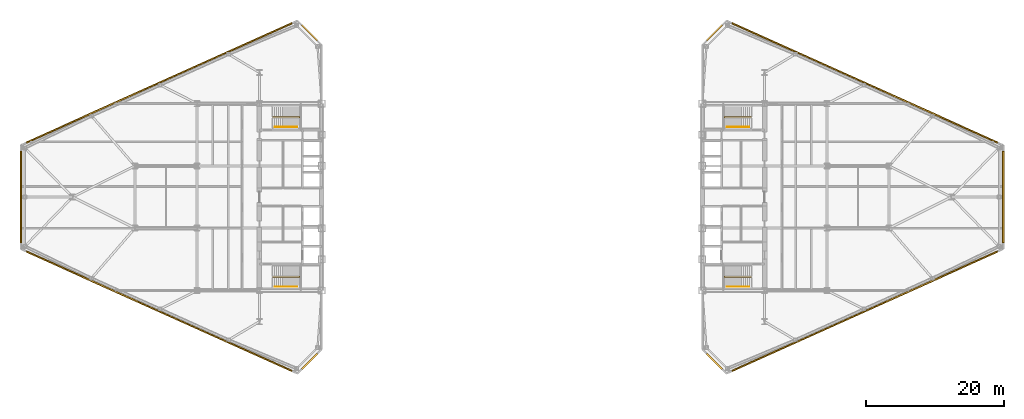
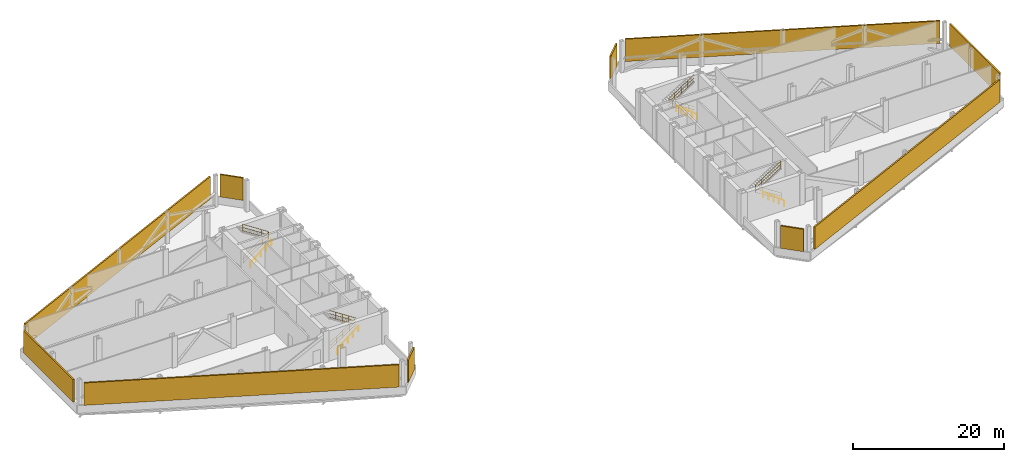
# One storey, part 11 of 11: 10 shading devices, 8 railings.
"""IFC4 building model written with IfcOpenShell, lengths in metres."""

from ifc_helpers import new_model, si_unit, direction, frame, origin, origin_2d, place, context, subcontext, project, spatial, rectangle, circle, extrude, source, transform, mapped, material, layer, layer_set, type_object, type_shapes, element, save


model = new_model("IFC4")

# Units and contexts
model_context = context("Model", 3, precision=1e-05, world=origin(), true_north=direction((0.0, 1.0)))
body_context = subcontext(model_context, "Body", "Model", "MODEL_VIEW")
ifc_project = project(units=[si_unit("LENGTHUNIT", "METRE"), si_unit("AREAUNIT", "SQUARE_METRE"), si_unit("VOLUMEUNIT", "CUBIC_METRE"), si_unit("PLANEANGLEUNIT", "RADIAN"), si_unit("MASSUNIT", "GRAM", prefix="KILO")], contexts=[model_context])

# Site, building, storey
site_placement = place(None, origin())
site = spatial("IfcSite", under=ifc_project, at=site_placement, CompositionType="ELEMENT")
building_placement = place(site_placement, origin())
building = spatial("IfcBuilding", under=site, at=building_placement, Name="Seokmaru Belvedere", CompositionType="ELEMENT")
storey_placement = place(building_placement, frame((0.0, 0.0, 87.300048828125)))
storey = spatial("IfcBuildingStorey", under=building, at=storey_placement, Name="L23", CompositionType="ELEMENT", Elevation=87.300048828125)

# Railings
ifc_material_1 = material(Name="Stainless Steel 316", Category="steel")
railing_type_1 = type_object("IfcRailingType", Name="Stainless Steel Wall and Flight Handrail 900", PredefinedType="HANDRAIL", material=ifc_material_1)
for number, where, name in (
    (1, (-34.25, -12.949951171875, 0.0), "L23 Stair ST-W1 Wall Handrail"),
    (2, (-34.25, 10.110107421875, 0.0), "L23 Stair ST-W2 Wall Handrail"),
):
    element("IfcRailing", number, at=place(storey_placement, frame(where)), inside=storey, type_object=railing_type_1, Name=name, PredefinedType="HANDRAIL", context=body_context, shape_type="SweptSolid", body=[
        extrude(circle(Radius=0.02392578125, at=origin_2d()), frame((0.0, 0.0, 0.8759765625), z_axis=(0.78393854377, 0.0, 0.62083843276), x_axis=(0.0, 1.0, 0.0)), (0.0, 0.0, 1.0), 4.107421875),
        extrude(circle(Radius=0.02099609375, at=origin_2d()), origin(), (0.0, 0.0, 1.0), 0.851806640625),
        extrude(circle(Radius=0.02099609375, at=origin_2d()), frame((0.804931640625, 0.0, 0.637451171875)), (0.0, 0.0, 1.0), 0.851806640625),
        extrude(circle(Radius=0.02099609375, at=origin_2d()), frame((1.60986328125, 0.0, 1.27490234375)), (0.0, 0.0, 1.0), 0.851806640625),
        extrude(circle(Radius=0.02099609375, at=origin_2d()), frame((2.4150390625, 0.0, 1.91259765625)), (0.0, 0.0, 1.0), 0.851806640625),
        extrude(circle(Radius=0.02099609375, at=origin_2d()), frame((3.219970703125, 0.0, 2.550048828125)), (0.0, 0.0, 1.0), 0.851806640625),
    ])
for number, where, name in (
    (3, (34.25, -12.949951171875, 0.0), "L23 Stair ST-E1 Wall Handrail"),
    (4, (34.25, 10.110107421875, 0.0), "L23 Stair ST-E2 Wall Handrail"),
):
    element("IfcRailing", number, at=place(storey_placement, frame(where)), inside=storey, type_object=railing_type_1, Name=name, PredefinedType="HANDRAIL", context=body_context, shape_type="SweptSolid", body=[
        extrude(circle(Radius=0.02392578125, at=origin_2d()), frame((0.0, 0.0, 0.8759765625), z_axis=(-0.78393854377, 0.0, 0.62083843276), x_axis=(0.0, -1.0, 0.0)), (0.0, 0.0, 1.0), 4.107421875),
        extrude(circle(Radius=0.02099609375, at=origin_2d()), origin(), (0.0, 0.0, 1.0), 0.851806640625),
        extrude(circle(Radius=0.02099609375, at=origin_2d()), frame((-0.804931640625, 0.0, 0.637451171875)), (0.0, 0.0, 1.0), 0.851806640625),
        extrude(circle(Radius=0.02099609375, at=origin_2d()), frame((-1.60986328125, 0.0, 1.27490234375)), (0.0, 0.0, 1.0), 0.851806640625),
        extrude(circle(Radius=0.02099609375, at=origin_2d()), frame((-2.4150390625, 0.0, 1.91259765625)), (0.0, 0.0, 1.0), 0.851806640625),
        extrude(circle(Radius=0.02099609375, at=origin_2d()), frame((-3.219970703125, 0.0, 2.550048828125)), (0.0, 0.0, 1.0), 0.851806640625),
    ])
railing_type_2 = type_object("IfcRailingType", Name="Stair Well and Atrium Steel Guardrail 1200", PredefinedType="GUARDRAIL", material=ifc_material_1)
railing_1_placement = place(storey_placement, frame((-34.60009765625, -11.60009765625, 0.0)))
element("IfcRailing", 5, at=railing_1_placement, inside=storey, type_object=railing_type_2, Name="L23 Stair ST-W1 Inner Well Guardrail", PredefinedType="GUARDRAIL", context=body_context, shape_type="SweptSolid", body=[
    extrude(circle(Radius=0.02392578125, at=origin_2d()), frame((0.0, 0.0, 1.17578125), z_axis=(0.838253921411, 0.0, 0.545280077794), x_axis=(0.0, 1.0, 0.0)), (0.0, 0.0, 1.0), 4.676513671875),
    extrude(circle(Radius=0.02392578125, at=origin_2d()), frame((0.0, 0.0, 0.1201171875), z_axis=(0.838253921411, 0.0, 0.545280077794), x_axis=(0.0, 1.0, 0.0)), (0.0, 0.0, 1.0), 4.676513671875),
    extrude(circle(Radius=0.02392578125, at=origin_2d()), frame((0.0, 0.0, 0.659912109375), z_axis=(0.838253921411, 0.0, 0.545280077794), x_axis=(0.0, 1.0, 0.0)), (0.0, 0.0, 1.0), 4.676513671875),
    extrude(circle(Radius=0.02392578125, at=origin_2d()), frame((3.920166015625, 0.0, 3.72607421875), z_axis=(0.0, 1.0, 0.0), x_axis=(-1.0, 0.0, 0.0)), (0.0, 0.0, 1.0), 0.14013671875),
    extrude(circle(Radius=0.02392578125, at=origin_2d()), frame((3.920166015625, 0.0, 2.670166015625), z_axis=(0.0, 1.0, 0.0), x_axis=(-1.0, 0.0, 0.0)), (0.0, 0.0, 1.0), 0.14013671875),
    extrude(circle(Radius=0.02392578125, at=origin_2d()), frame((3.920166015625, 0.0, 3.2099609375), z_axis=(0.0, 1.0, 0.0), x_axis=(-1.0, 0.0, 0.0)), (0.0, 0.0, 1.0), 0.14013671875),
    extrude(circle(Radius=0.02392578125, at=origin_2d()), frame((3.920166015625, 0.14013671875, 3.72607421875), z_axis=(-0.838277783264, 0.0, 0.545243393436), x_axis=(0.0, -1.0, 0.0)), (0.0, 0.0, 1.0), 4.676513671875),
    extrude(circle(Radius=0.02392578125, at=origin_2d()), frame((3.920166015625, 0.14013671875, 2.670166015625), z_axis=(-0.838277783264, 0.0, 0.545243393436), x_axis=(0.0, -1.0, 0.0)), (0.0, 0.0, 1.0), 4.676513671875),
    extrude(circle(Radius=0.02392578125, at=origin_2d()), frame((3.920166015625, 0.14013671875, 3.2099609375), z_axis=(-0.838277783264, 0.0, 0.545243393436), x_axis=(0.0, -1.0, 0.0)), (0.0, 0.0, 1.0), 4.676513671875),
    extrude(circle(Radius=0.02099609375, at=origin_2d()), origin(), (0.0, 0.0, 1.0), 1.15185546875),
    extrude(circle(Radius=0.02099609375, at=origin_2d()), frame((0.97998046875, 0.0, 0.637451171875)), (0.0, 0.0, 1.0), 1.15185546875),
    extrude(circle(Radius=0.02099609375, at=origin_2d()), frame((1.9599609375, 0.0, 1.27490234375)), (0.0, 0.0, 1.0), 1.15185546875),
    extrude(circle(Radius=0.02099609375, at=origin_2d()), frame((2.940185546875, 0.0, 1.91259765625)), (0.0, 0.0, 1.0), 1.15185546875),
    extrude(circle(Radius=0.02099609375, at=origin_2d()), frame((3.920166015625, 0.0, 2.550048828125)), (0.0, 0.0, 1.0), 1.15185546875),
    extrude(circle(Radius=0.02099609375, at=origin_2d()), frame((3.920166015625, 0.14013671875, 2.550048828125)), (0.0, 0.0, 1.0), 1.15185546875),
    extrude(circle(Radius=0.02099609375, at=origin_2d()), frame((2.940185546875, 0.14013671875, 3.1875)), (0.0, 0.0, 1.0), 1.15185546875),
    extrude(circle(Radius=0.02099609375, at=origin_2d()), frame((1.9599609375, 0.14013671875, 3.824951171875)), (0.0, 0.0, 1.0), 1.15185546875),
    extrude(circle(Radius=0.02099609375, at=origin_2d()), frame((0.97998046875, 0.14013671875, 4.46240234375)), (0.0, 0.0, 1.0), 1.15185546875),
    extrude(circle(Radius=0.02099609375, at=origin_2d()), frame((0.0, 0.14013671875, 5.099853515625)), (0.0, 0.0, 1.0), 1.15185546875),
])
railing_2_placement = place(storey_placement, frame((-34.60009765625, 11.4599609375, 0.0)))
element("IfcRailing", 6, at=railing_2_placement, inside=storey, type_object=railing_type_2, Name="L23 Stair ST-W2 Inner Well Guardrail", PredefinedType="GUARDRAIL", context=body_context, shape_type="SweptSolid", body=[
    extrude(circle(Radius=0.02392578125, at=origin_2d()), frame((0.0, 0.0, 1.17578125), z_axis=(0.838253921411, 0.0, 0.545280077794), x_axis=(0.0, 1.0, 0.0)), (0.0, 0.0, 1.0), 4.676513671875),
    extrude(circle(Radius=0.02392578125, at=origin_2d()), frame((0.0, 0.0, 0.1201171875), z_axis=(0.838253921411, 0.0, 0.545280077794), x_axis=(0.0, 1.0, 0.0)), (0.0, 0.0, 1.0), 4.676513671875),
    extrude(circle(Radius=0.02392578125, at=origin_2d()), frame((0.0, 0.0, 0.659912109375), z_axis=(0.838253921411, 0.0, 0.545280077794), x_axis=(0.0, 1.0, 0.0)), (0.0, 0.0, 1.0), 4.676513671875),
    extrude(circle(Radius=0.02392578125, at=origin_2d()), frame((3.920166015625, 0.0, 3.72607421875), z_axis=(0.0, 1.0, 0.0), x_axis=(-1.0, 0.0, 0.0)), (0.0, 0.0, 1.0), 0.14013671875),
    extrude(circle(Radius=0.02392578125, at=origin_2d()), frame((3.920166015625, 0.0, 2.670166015625), z_axis=(0.0, 1.0, 0.0), x_axis=(-1.0, 0.0, 0.0)), (0.0, 0.0, 1.0), 0.14013671875),
    extrude(circle(Radius=0.02392578125, at=origin_2d()), frame((3.920166015625, 0.0, 3.2099609375), z_axis=(0.0, 1.0, 0.0), x_axis=(-1.0, 0.0, 0.0)), (0.0, 0.0, 1.0), 0.14013671875),
    extrude(circle(Radius=0.02392578125, at=origin_2d()), frame((3.920166015625, 0.14013671875, 3.72607421875), z_axis=(-0.838277783264, 0.0, 0.545243393436), x_axis=(0.0, -1.0, 0.0)), (0.0, 0.0, 1.0), 4.676513671875),
    extrude(circle(Radius=0.02392578125, at=origin_2d()), frame((3.920166015625, 0.14013671875, 2.670166015625), z_axis=(-0.838277783264, 0.0, 0.545243393436), x_axis=(0.0, -1.0, 0.0)), (0.0, 0.0, 1.0), 4.676513671875),
    extrude(circle(Radius=0.02392578125, at=origin_2d()), frame((3.920166015625, 0.14013671875, 3.2099609375), z_axis=(-0.838277783264, 0.0, 0.545243393436), x_axis=(0.0, -1.0, 0.0)), (0.0, 0.0, 1.0), 4.676513671875),
    extrude(circle(Radius=0.02099609375, at=origin_2d()), origin(), (0.0, 0.0, 1.0), 1.15185546875),
    extrude(circle(Radius=0.02099609375, at=origin_2d()), frame((0.97998046875, 0.0, 0.637451171875)), (0.0, 0.0, 1.0), 1.15185546875),
    extrude(circle(Radius=0.02099609375, at=origin_2d()), frame((1.9599609375, 0.0, 1.27490234375)), (0.0, 0.0, 1.0), 1.15185546875),
    extrude(circle(Radius=0.02099609375, at=origin_2d()), frame((2.940185546875, 0.0, 1.91259765625)), (0.0, 0.0, 1.0), 1.15185546875),
    extrude(circle(Radius=0.02099609375, at=origin_2d()), frame((3.920166015625, 0.0, 2.550048828125)), (0.0, 0.0, 1.0), 1.15185546875),
    extrude(circle(Radius=0.02099609375, at=origin_2d()), frame((3.920166015625, 0.14013671875, 2.550048828125)), (0.0, 0.0, 1.0), 1.15185546875),
    extrude(circle(Radius=0.02099609375, at=origin_2d()), frame((2.940185546875, 0.14013671875, 3.1875)), (0.0, 0.0, 1.0), 1.15185546875),
    extrude(circle(Radius=0.02099609375, at=origin_2d()), frame((1.9599609375, 0.14013671875, 3.824951171875)), (0.0, 0.0, 1.0), 1.15185546875),
    extrude(circle(Radius=0.02099609375, at=origin_2d()), frame((0.97998046875, 0.14013671875, 4.46240234375)), (0.0, 0.0, 1.0), 1.15185546875),
    extrude(circle(Radius=0.02099609375, at=origin_2d()), frame((0.0, 0.14013671875, 5.099853515625)), (0.0, 0.0, 1.0), 1.15185546875),
])
railing_3_placement = place(storey_placement, frame((34.60009765625, -11.60009765625, 0.0)))
element("IfcRailing", 7, at=railing_3_placement, inside=storey, type_object=railing_type_2, Name="L23 Stair ST-E1 Inner Well Guardrail", PredefinedType="GUARDRAIL", context=body_context, shape_type="SweptSolid", body=[
    extrude(circle(Radius=0.02392578125, at=origin_2d()), frame((0.0, 0.0, 1.17578125), z_axis=(-0.838253921411, 0.0, 0.545280077794), x_axis=(0.0, -1.0, 0.0)), (0.0, 0.0, 1.0), 4.676513671875),
    extrude(circle(Radius=0.02392578125, at=origin_2d()), frame((0.0, 0.0, 0.1201171875), z_axis=(-0.838253921411, 0.0, 0.545280077794), x_axis=(0.0, -1.0, 0.0)), (0.0, 0.0, 1.0), 4.676513671875),
    extrude(circle(Radius=0.02392578125, at=origin_2d()), frame((0.0, 0.0, 0.659912109375), z_axis=(-0.838253921411, 0.0, 0.545280077794), x_axis=(0.0, -1.0, 0.0)), (0.0, 0.0, 1.0), 4.676513671875),
    extrude(circle(Radius=0.02392578125, at=origin_2d()), frame((-3.920166015625, 0.0, 3.72607421875), z_axis=(0.0, 1.0, 0.0), x_axis=(-1.0, 0.0, 0.0)), (0.0, 0.0, 1.0), 0.14013671875),
    extrude(circle(Radius=0.02392578125, at=origin_2d()), frame((-3.920166015625, 0.0, 2.670166015625), z_axis=(0.0, 1.0, 0.0), x_axis=(-1.0, 0.0, 0.0)), (0.0, 0.0, 1.0), 0.14013671875),
    extrude(circle(Radius=0.02392578125, at=origin_2d()), frame((-3.920166015625, 0.0, 3.2099609375), z_axis=(0.0, 1.0, 0.0), x_axis=(-1.0, 0.0, 0.0)), (0.0, 0.0, 1.0), 0.14013671875),
    extrude(circle(Radius=0.02392578125, at=origin_2d()), frame((-3.920166015625, 0.14013671875, 3.72607421875), z_axis=(0.838277783264, 0.0, 0.545243393436), x_axis=(0.0, 1.0, 0.0)), (0.0, 0.0, 1.0), 4.676513671875),
    extrude(circle(Radius=0.02392578125, at=origin_2d()), frame((-3.920166015625, 0.14013671875, 2.670166015625), z_axis=(0.838277783264, 0.0, 0.545243393436), x_axis=(0.0, 1.0, 0.0)), (0.0, 0.0, 1.0), 4.676513671875),
    extrude(circle(Radius=0.02392578125, at=origin_2d()), frame((-3.920166015625, 0.14013671875, 3.2099609375), z_axis=(0.838277783264, 0.0, 0.545243393436), x_axis=(0.0, 1.0, 0.0)), (0.0, 0.0, 1.0), 4.676513671875),
    extrude(circle(Radius=0.02099609375, at=origin_2d()), origin(), (0.0, 0.0, 1.0), 1.15185546875),
    extrude(circle(Radius=0.02099609375, at=origin_2d()), frame((-0.97998046875, 0.0, 0.637451171875)), (0.0, 0.0, 1.0), 1.15185546875),
    extrude(circle(Radius=0.02099609375, at=origin_2d()), frame((-1.9599609375, 0.0, 1.27490234375)), (0.0, 0.0, 1.0), 1.15185546875),
    extrude(circle(Radius=0.02099609375, at=origin_2d()), frame((-2.940185546875, 0.0, 1.91259765625)), (0.0, 0.0, 1.0), 1.15185546875),
    extrude(circle(Radius=0.02099609375, at=origin_2d()), frame((-3.920166015625, 0.0, 2.550048828125)), (0.0, 0.0, 1.0), 1.15185546875),
    extrude(circle(Radius=0.02099609375, at=origin_2d()), frame((-3.920166015625, 0.14013671875, 2.550048828125)), (0.0, 0.0, 1.0), 1.15185546875),
    extrude(circle(Radius=0.02099609375, at=origin_2d()), frame((-2.940185546875, 0.14013671875, 3.1875)), (0.0, 0.0, 1.0), 1.15185546875),
    extrude(circle(Radius=0.02099609375, at=origin_2d()), frame((-1.9599609375, 0.14013671875, 3.824951171875)), (0.0, 0.0, 1.0), 1.15185546875),
    extrude(circle(Radius=0.02099609375, at=origin_2d()), frame((-0.97998046875, 0.14013671875, 4.46240234375)), (0.0, 0.0, 1.0), 1.15185546875),
    extrude(circle(Radius=0.02099609375, at=origin_2d()), frame((0.0, 0.14013671875, 5.099853515625)), (0.0, 0.0, 1.0), 1.15185546875),
])
railing_4_placement = place(storey_placement, frame((34.60009765625, 11.4599609375, 0.0)))
element("IfcRailing", 8, at=railing_4_placement, inside=storey, type_object=railing_type_2, Name="L23 Stair ST-E2 Inner Well Guardrail", PredefinedType="GUARDRAIL", context=body_context, shape_type="SweptSolid", body=[
    extrude(circle(Radius=0.02392578125, at=origin_2d()), frame((0.0, 0.0, 1.17578125), z_axis=(-0.838253921411, 0.0, 0.545280077794), x_axis=(0.0, -1.0, 0.0)), (0.0, 0.0, 1.0), 4.676513671875),
    extrude(circle(Radius=0.02392578125, at=origin_2d()), frame((0.0, 0.0, 0.1201171875), z_axis=(-0.838253921411, 0.0, 0.545280077794), x_axis=(0.0, -1.0, 0.0)), (0.0, 0.0, 1.0), 4.676513671875),
    extrude(circle(Radius=0.02392578125, at=origin_2d()), frame((0.0, 0.0, 0.659912109375), z_axis=(-0.838253921411, 0.0, 0.545280077794), x_axis=(0.0, -1.0, 0.0)), (0.0, 0.0, 1.0), 4.676513671875),
    extrude(circle(Radius=0.02392578125, at=origin_2d()), frame((-3.920166015625, 0.0, 3.72607421875), z_axis=(0.0, 1.0, 0.0), x_axis=(-1.0, 0.0, 0.0)), (0.0, 0.0, 1.0), 0.14013671875),
    extrude(circle(Radius=0.02392578125, at=origin_2d()), frame((-3.920166015625, 0.0, 2.670166015625), z_axis=(0.0, 1.0, 0.0), x_axis=(-1.0, 0.0, 0.0)), (0.0, 0.0, 1.0), 0.14013671875),
    extrude(circle(Radius=0.02392578125, at=origin_2d()), frame((-3.920166015625, 0.0, 3.2099609375), z_axis=(0.0, 1.0, 0.0), x_axis=(-1.0, 0.0, 0.0)), (0.0, 0.0, 1.0), 0.14013671875),
    extrude(circle(Radius=0.02392578125, at=origin_2d()), frame((-3.920166015625, 0.14013671875, 3.72607421875), z_axis=(0.838277783264, 0.0, 0.545243393436), x_axis=(0.0, 1.0, 0.0)), (0.0, 0.0, 1.0), 4.676513671875),
    extrude(circle(Radius=0.02392578125, at=origin_2d()), frame((-3.920166015625, 0.14013671875, 2.670166015625), z_axis=(0.838277783264, 0.0, 0.545243393436), x_axis=(0.0, 1.0, 0.0)), (0.0, 0.0, 1.0), 4.676513671875),
    extrude(circle(Radius=0.02392578125, at=origin_2d()), frame((-3.920166015625, 0.14013671875, 3.2099609375), z_axis=(0.838277783264, 0.0, 0.545243393436), x_axis=(0.0, 1.0, 0.0)), (0.0, 0.0, 1.0), 4.676513671875),
    extrude(circle(Radius=0.02099609375, at=origin_2d()), origin(), (0.0, 0.0, 1.0), 1.15185546875),
    extrude(circle(Radius=0.02099609375, at=origin_2d()), frame((-0.97998046875, 0.0, 0.637451171875)), (0.0, 0.0, 1.0), 1.15185546875),
    extrude(circle(Radius=0.02099609375, at=origin_2d()), frame((-1.9599609375, 0.0, 1.27490234375)), (0.0, 0.0, 1.0), 1.15185546875),
    extrude(circle(Radius=0.02099609375, at=origin_2d()), frame((-2.940185546875, 0.0, 1.91259765625)), (0.0, 0.0, 1.0), 1.15185546875),
    extrude(circle(Radius=0.02099609375, at=origin_2d()), frame((-3.920166015625, 0.0, 2.550048828125)), (0.0, 0.0, 1.0), 1.15185546875),
    extrude(circle(Radius=0.02099609375, at=origin_2d()), frame((-3.920166015625, 0.14013671875, 2.550048828125)), (0.0, 0.0, 1.0), 1.15185546875),
    extrude(circle(Radius=0.02099609375, at=origin_2d()), frame((-2.940185546875, 0.14013671875, 3.1875)), (0.0, 0.0, 1.0), 1.15185546875),
    extrude(circle(Radius=0.02099609375, at=origin_2d()), frame((-1.9599609375, 0.14013671875, 3.824951171875)), (0.0, 0.0, 1.0), 1.15185546875),
    extrude(circle(Radius=0.02099609375, at=origin_2d()), frame((-0.97998046875, 0.14013671875, 4.46240234375)), (0.0, 0.0, 1.0), 1.15185546875),
    extrude(circle(Radius=0.02099609375, at=origin_2d()), frame((0.0, 0.14013671875, 5.099853515625)), (0.0, 0.0, 1.0), 1.15185546875),
])

# Shading devices
ifc_material_2 = material(Name="Anodised Bronze Aluminium", Category="aluminium")
ifc_layer = layer(ifc_material_2, 0.25)
ifc_layer_set = layer_set([ifc_layer], Name="Anodised Bronze Aluminium")
shading_device_type = type_object("IfcShadingDeviceType", Name="Refuge Storey Acoustic Weather Louvre Assembly", PredefinedType="JALOUSIE", material=ifc_layer_set)
shared_shape_1 = source(origin(), body_context, "Body", "SweptSolid", [
    extrude(rectangle(XDim=3.149658203125, YDim=0.219970703125, at=origin_2d()), origin(), (0.0, 0.0, 1.0), 3.6298828125),
])
for number, where, z_axis, x_axis, name in (
    (9, (-29.25, 23.75, 1.25), (0.0, 0.0, 1.0), (-0.707106781187, 0.707106781187, 0.0), "L23 W Refuge Acoustic Louvre 2"),
    (10, (-29.25, -23.75, 1.25), (0.0, 0.0, 1.0), (0.707106781187, 0.707106781187, 0.0), "L23 W Refuge Acoustic Louvre 6"),
    (11, (29.25, 23.75, 1.25), (0.0, 0.0, 1.0), (-0.707106781187, -0.707106781187, 0.0), "L23 E Refuge Acoustic Louvre 4"),
    (12, (29.25, -23.75, 1.25), (0.0, 0.0, 1.0), (0.707106781187, -0.707106781187, 0.0), "L23 E Refuge Acoustic Louvre 6"),
):
    element("IfcShadingDevice", number, at=place(storey_placement, frame(where, z_axis=z_axis, x_axis=x_axis)), inside=storey, type_object=shading_device_type, Name=name, PredefinedType="JALOUSIE", context=body_context, shape_type="MappedRepresentation", body=[
        mapped(shared_shape_1, transform((0.0, 0.0, 0.0), scale=1.0)),
    ])
shared_shape_2 = source(origin(), body_context, "Body", "SweptSolid", [
    extrude(rectangle(XDim=42.0634765625, YDim=0.219970703125, at=origin_2d()), origin(), (0.0, 0.0, 1.0), 3.6298828125),
])
for number, where, z_axis, x_axis, name in (
    (13, (-51.0, 16.5, 1.25), (0.0, 0.0, 1.0), (-0.911921829752, -0.410363956047, 0.0), "L23 W Refuge Acoustic Louvre 3"),
    (14, (-51.0, -16.5, 1.25), (0.0, 0.0, 1.0), (0.911921829752, -0.410363956047, 0.0), "L23 W Refuge Acoustic Louvre 5"),
    (15, (51.0, -16.5, 1.25), (0.0, 0.0, 1.0), (0.911921829752, 0.410363956047, 0.0), "L23 E Refuge Acoustic Louvre 1"),
    (16, (51.0, 16.5, 1.25), (0.0, 0.0, 1.0), (-0.911921829752, 0.410363956047, 0.0), "L23 E Refuge Acoustic Louvre 3"),
):
    element("IfcShadingDevice", number, at=place(storey_placement, frame(where, z_axis=z_axis, x_axis=x_axis)), inside=storey, type_object=shading_device_type, Name=name, PredefinedType="JALOUSIE", context=body_context, shape_type="MappedRepresentation", body=[
        mapped(shared_shape_2, transform((0.0, 0.0, 0.0), scale=1.0)),
    ])
shared_shape_3 = source(origin(), body_context, "Body", "SweptSolid", [
    extrude(rectangle(XDim=13.199951171875, YDim=0.219970703125, at=origin_2d()), origin(), (0.0, 0.0, 1.0), 3.6298828125),
])
type_shapes(shading_device_type, [shared_shape_1, shared_shape_2, shared_shape_3])
for number, where, z_axis, x_axis, name in (
    (17, (-71.0, 0.0, 1.25), (0.0, 0.0, 1.0), (0.0, -1.0, 0.0), "L23 W Refuge Acoustic Louvre 4"),
    (18, (71.0, 0.0, 1.25), (0.0, 0.0, 1.0), (0.0, 1.0, 0.0), "L23 E Refuge Acoustic Louvre 2"),
):
    element("IfcShadingDevice", number, at=place(storey_placement, frame(where, z_axis=z_axis, x_axis=x_axis)), inside=storey, type_object=shading_device_type, Name=name, PredefinedType="JALOUSIE", context=body_context, shape_type="MappedRepresentation", body=[
        mapped(shared_shape_3, transform((0.0, 0.0, 0.0), scale=1.0)),
    ])

save(model, "model.ifc")
